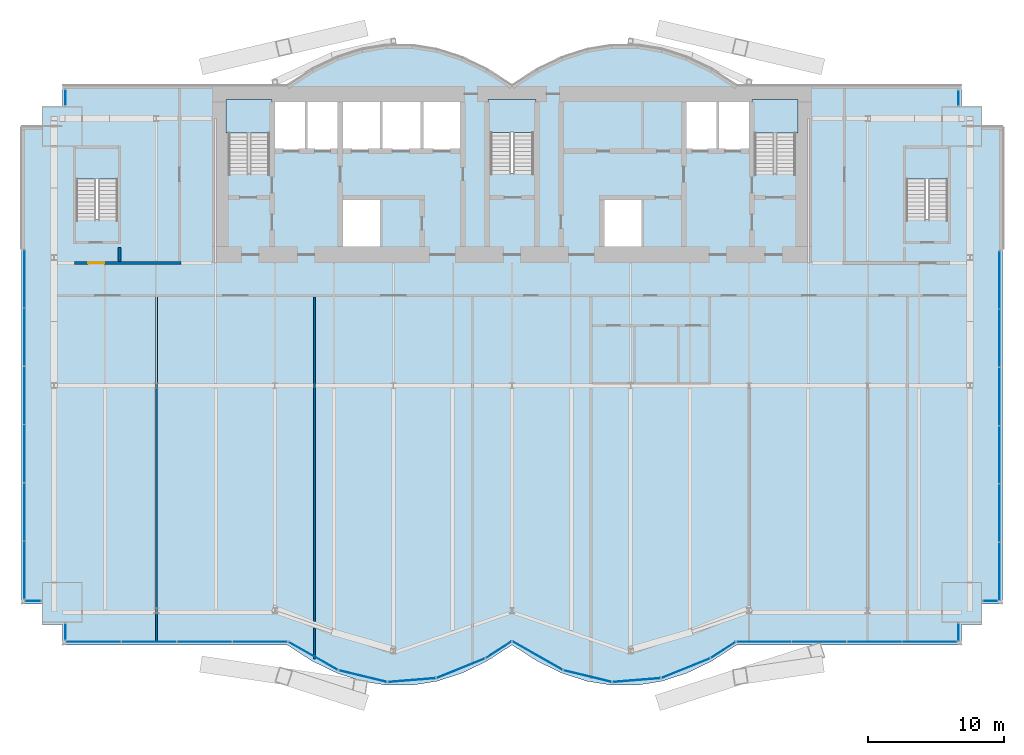
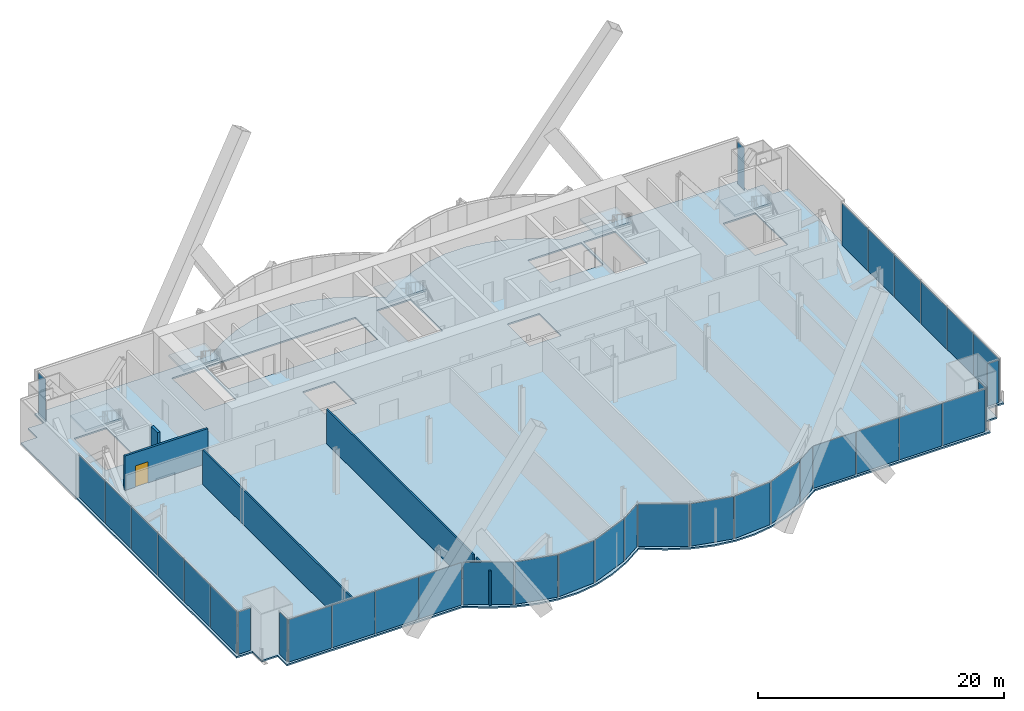
# One storey, part 16 of 23: 36 plates, 6 slabs, 5 walls, 1 door, 1 opening, 17 elements without a shape of their own.
"""IFC4 building model written with IfcOpenShell, lengths in metres."""

import ifcopenshell
import ifcopenshell.guid

model = None  # the IFC model being written
_history = None  # IfcOwnerHistory: only IFC2X3 demands one
_inside = {}  # id of a spatial element -> (the spatial element, [elements in it])
_under = {}  # id of a project, library or spatial element -> (it, [spatial elements below it])
_declared = {}  # id of a project -> (the project, [libraries it declares])
_typed = {}  # id of a type object -> (the type object, [elements of that type])
_made_of = {}  # id of a material, layer set ... -> (it, [elements and type objects made of it])


def new_model(schema):
    """Start an empty IFC model of exactly this schema.

    Asked for "IFC4X3", IfcOpenShell would pick the latest addendum, in which some entities
    have other attributes; the version numbers below select the first issue.
    IFC2X3 requires an IfcOwnerHistory on every rooted entity: one is made here for all.
    """
    global model, _history
    if schema == "IFC4X3":
        model = ifcopenshell.file(schema_version=(4, 3, 0, 0))
    else:
        model = ifcopenshell.file(schema=schema)
    _inside.clear()
    _under.clear()
    _declared.clear()
    _typed.clear()
    _made_of.clear()
    _history = None
    if model.schema == "IFC2X3":
        org = make("IfcOrganization", Name="unknown")
        user = make(
            "IfcPersonAndOrganization",
            ThePerson=make("IfcPerson", FamilyName="unknown"),
            TheOrganization=org,
        )
        app = make(
            "IfcApplication",
            ApplicationDeveloper=org,
            Version="unknown",
            ApplicationFullName="unknown",
            ApplicationIdentifier="unknown",
        )
        _history = make(
            "IfcOwnerHistory",
            OwningUser=user,
            OwningApplication=app,
            ChangeAction="ADDED",
            CreationDate=0,
        )
    return model


def make(cls, **values):
    """One entity of the class cls with the attributes given. An attribute that is None is left unset."""
    return model.create_entity(
        cls, **{name: value for name, value in values.items() if value is not None}
    )


def rooted(cls, **values):
    """An entity with a GlobalId (a new one), such as an element, a storey or a relation."""
    return make(cls, GlobalId=ifcopenshell.guid.new(), OwnerHistory=_history, **values)


def si_unit(unit_type, name, prefix=None):
    """IfcSIUnit, for example si_unit("LENGTHUNIT", "METRE", prefix="MILLI")."""
    return make("IfcSIUnit", UnitType=unit_type, Prefix=prefix, Name=name)


def assignment(units):
    """IfcUnitAssignment: the units of a project."""
    return None if units is None else make("IfcUnitAssignment", Units=units)


def point(xyz):
    """IfcCartesianPoint."""
    return None if xyz is None else make("IfcCartesianPoint", Coordinates=xyz)


def direction(xyz):
    """IfcDirection."""
    return None if xyz is None else make("IfcDirection", DirectionRatios=xyz)


def frame(location, z_axis=None, x_axis=None):
    """IfcAxis2Placement3D, a coordinate frame: its origin and axes. An axis left out is left unset."""
    return make(
        "IfcAxis2Placement3D",
        Location=point(location),
        Axis=direction(z_axis),
        RefDirection=direction(x_axis),
    )


def frame_2d(location, x_axis=None):
    """IfcAxis2Placement2D, a coordinate frame in the plane: its origin and x axis."""
    return make(
        "IfcAxis2Placement2D", Location=point(location), RefDirection=direction(x_axis)
    )


def origin():
    """The frame at (0, 0, 0) with its axes left unset."""
    return frame((0.0, 0.0, 0.0))


def origin_2d():
    """The frame at (0, 0) in the plane with its x axis left unset."""
    return frame_2d((0.0, 0.0))


def place(relative_to, where):
    """IfcLocalPlacement: puts the frame where relative to a parent placement (None: the world)."""
    return make(
        "IfcLocalPlacement", PlacementRelTo=relative_to, RelativePlacement=where
    )


def context(
    kind, dimensions, precision=None, world=None, true_north=None, identifier=None
):
    """IfcGeometricRepresentationContext, for example the 3D "Model" context."""
    return make(
        "IfcGeometricRepresentationContext",
        ContextIdentifier=identifier,
        ContextType=kind,
        CoordinateSpaceDimension=dimensions,
        Precision=precision,
        WorldCoordinateSystem=world,
        TrueNorth=true_north,
    )


def subcontext(parent, identifier, kind, view, scale=None):
    """IfcGeometricRepresentationSubContext, for example "Body" below "Model"."""
    return make(
        "IfcGeometricRepresentationSubContext",
        ContextIdentifier=identifier,
        ContextType=kind,
        ParentContext=parent,
        TargetScale=scale,
        TargetView=view,
    )


def project(units=None, contexts=None):
    """IfcProject with its units and contexts."""
    return rooted(
        "IfcProject",
        Name="project",
        RepresentationContexts=contexts,
        UnitsInContext=assignment(units),
    )


def spatial(cls, under=None, at=None, **own):
    """A site, building, storey or space (cls), placed at a placement, below another one or the project."""
    s = rooted(cls, ObjectPlacement=at, **own)
    if under is not None:
        _under.setdefault(under.id(), (under, []))[1].append(s)
    return s


def polyline(points):
    """IfcPolyline through the points."""
    return make("IfcPolyline", Points=[point(p) for p in points])


def profile(cls, at=None, kind="AREA", **sizes):
    """A parametric profile (cls). Its sizes go by their IFC names, for example OverallWidth=200.0."""
    return make(cls, ProfileType=kind, Position=at, **sizes)


def rectangle(**sizes):
    """IfcRectangleProfileDef."""
    return profile("IfcRectangleProfileDef", **sizes)


def outline(outer, holes=None, kind="AREA"):
    """IfcArbitraryClosedProfileDef: a profile drawn as a closed curve; with holes, ...WithVoids."""
    if holes is None:
        return make("IfcArbitraryClosedProfileDef", ProfileType=kind, OuterCurve=outer)
    return make(
        "IfcArbitraryProfileDefWithVoids",
        ProfileType=kind,
        OuterCurve=outer,
        InnerCurves=holes,
    )


def extrude(swept, where, along, depth):
    """IfcExtrudedAreaSolid: the profile swept, set in the frame where, extruded along a direction by depth."""
    return make(
        "IfcExtrudedAreaSolid",
        SweptArea=swept,
        Position=where,
        ExtrudedDirection=direction(along),
        Depth=depth,
    )


def shape(context_of_items, identifier, shape_type, items):
    """IfcShapeRepresentation: the items that make up one representation, for example the "Body"."""
    return make(
        "IfcShapeRepresentation",
        ContextOfItems=context_of_items,
        RepresentationIdentifier=identifier,
        RepresentationType=shape_type,
        Items=items,
    )


def material(Name=None, Category=None):
    """IfcMaterial."""
    return make("IfcMaterial", Name=Name, Category=Category)


def layer(
    of_material, thickness, ventilated=None, Name=None, Category=None, Priority=None
):
    """IfcMaterialLayer: one layer of a wall or slab, of a material (None: an air gap)."""
    return make(
        "IfcMaterialLayer",
        Material=of_material,
        LayerThickness=thickness,
        IsVentilated=ventilated,
        Name=Name,
        Category=Category,
        Priority=Priority,
    )


def layer_set(layers, Name=None):
    """IfcMaterialLayerSet."""
    return make("IfcMaterialLayerSet", MaterialLayers=layers, LayerSetName=Name)


def made_of(thing, what):
    """Note that an element or type object is made of a material, layer set ...; save() writes the relation."""
    if what is not None:
        _made_of.setdefault(what.id(), (what, []))[1].append(thing)
    return thing


def type_object(cls, material=None, **own):
    """A type object (cls), such as IfcWallType, which elements share."""
    return made_of(rooted(cls, **own), material)


def element(
    cls,
    number,
    at=None,
    inside=None,
    cuts=None,
    type_object=None,
    material=None,
    context=None,
    identifier="Body",
    shape_type=None,
    held_by="IfcProductDefinitionShape",
    body=None,
    shapes=None,
    **own,
):
    """One element of the class cls, such as IfcWall. Its Tag is "e" and its number.

    at: its placement. inside: the storey or other place that contains it. cuts: it is an
    opening in that element (IfcRelVoidsElement). A single representation is given by context,
    identifier, shape_type and body (its items); several are given by shapes. held_by: the class
    of the entity that holds the representations. save() writes the other relations.
    """
    e = rooted(cls, Tag="e%d" % number, ObjectPlacement=at, **own)
    if body is not None:
        shapes = [shape(context, identifier, shape_type, body)]
    if shapes is not None:
        e.Representation = make(held_by, Representations=shapes)
    if inside is not None:
        _inside.setdefault(inside.id(), (inside, []))[1].append(e)
    if cuts is not None:
        rooted(
            "IfcRelVoidsElement", RelatingBuildingElement=cuts, RelatedOpeningElement=e
        )
    if type_object is not None:
        _typed.setdefault(type_object.id(), (type_object, []))[1].append(e)
    return made_of(e, material)


def fill(opening, filler):
    """IfcRelFillsElement: the door or window that sits in an opening."""
    return rooted(
        "IfcRelFillsElement",
        RelatingOpeningElement=opening,
        RelatedBuildingElement=filler,
    )


def aggregate(whole, parts):
    """IfcRelAggregates: a whole, such as a stair, and the parts it consists of."""
    return rooted("IfcRelAggregates", RelatingObject=whole, RelatedObjects=parts)


def save(model, path):
    """Write the relations noted so far, then the file.

    IfcRelAggregates (storeys below a building ...), IfcRelContainedInSpatialStructure (elements
    in a storey), IfcRelDefinesByType, IfcRelAssociatesMaterial and IfcRelDeclares: one each for
    every whole, place, type object, material and project.
    """
    for whole, parts in _under.values():
        aggregate(whole, parts)
    for where, things in _inside.values():
        rooted(
            "IfcRelContainedInSpatialStructure",
            RelatedElements=things,
            RelatingStructure=where,
        )
    for kind, things in _typed.values():
        rooted("IfcRelDefinesByType", RelatedObjects=things, RelatingType=kind)
    for what, things in _made_of.values():
        rooted("IfcRelAssociatesMaterial", RelatedObjects=things, RelatingMaterial=what)
    for by, libraries in _declared.values():
        rooted("IfcRelDeclares", RelatingContext=by, RelatedDefinitions=libraries)
    model.write(path)


model = new_model("IFC4")

# Units and contexts
model_context = context("Model", 3, precision=1e-05, world=origin(), true_north=direction((0.0, 1.0)))
body_context = subcontext(model_context, "Body", "Model", "MODEL_VIEW")
ifc_project = project(units=[si_unit("LENGTHUNIT", "METRE"), si_unit("AREAUNIT", "SQUARE_METRE"), si_unit("VOLUMEUNIT", "CUBIC_METRE"), si_unit("PLANEANGLEUNIT", "RADIAN"), si_unit("MASSUNIT", "GRAM", prefix="KILO")], contexts=[model_context])

# Site, building, storey
site_placement = place(None, origin())
site = spatial("IfcSite", under=ifc_project, at=site_placement, CompositionType="ELEMENT")
building_placement = place(site_placement, origin())
building = spatial("IfcBuilding", under=site, at=building_placement, Name="Bicima Exchange Tower", CompositionType="ELEMENT")
storey_placement = place(building_placement, frame((0.0, 0.0, 53.0)))
storey = spatial("IfcBuildingStorey", under=building, at=storey_placement, Name="L10", CompositionType="ELEMENT", Elevation=53.0)

# Slab
ifc_material_1 = material(Name="Concrete C40/50", Category="concrete")
ifc_layer_1 = layer(ifc_material_1, 0.14990234375)
ifc_layer_set_1 = layer_set([ifc_layer_1], Name="Concrete C40/50")
slab_type_1 = type_object("IfcSlabType", Name="Composite floor slab 150", PredefinedType="FLOOR", material=ifc_layer_set_1)
slab_1_placement = place(storey_placement, frame((0.0, 0.0, -0.14990234375)))
element("IfcSlab", 1, at=slab_1_placement, inside=storey, type_object=slab_type_1, Name="Floor slab", PredefinedType="FLOOR", context=body_context, shape_type="SweptSolid", body=[
    extrude(outline(polyline([(-36.0, -38.02392578125), (-36.0, -3.0), (-34.5, -3.0), (-34.5, -1.5), (-33.0, -1.5), (-33.0, 0.0), (-16.5, 0.0), (-14.666748046875, 1.185302734375), (-12.833251953125, 2.07421875), (-11.0, 2.666748046875), (-9.166748046875, 2.962890625), (-7.333251953125, 2.962890625), (-5.5, 2.666748046875), (-3.666748046875, 2.07421875), (-1.833251953125, 1.185302734375), (0.0, 0.0), (1.833251953125, 1.185302734375), (3.666748046875, 2.07421875), (5.5, 2.666748046875), (7.333251953125, 2.962890625), (9.166748046875, 2.962890625), (11.0, 2.666748046875), (12.833251953125, 2.07421875), (14.666748046875, 1.185302734375), (16.5, 0.0), (33.0, 0.0), (33.0, -1.5), (34.5, -1.5), (34.5, -3.0), (36.0, -3.0), (36.0, -38.02392578125), (34.5, -38.02392578125), (34.5, -39.52392578125), (33.0, -39.52392578125), (33.0, -41.02392578125), (16.5, -41.02392578125), (14.666748046875, -42.209228515625), (12.833251953125, -43.09814453125), (11.0, -43.690673828125), (9.166748046875, -43.987060546875), (7.333251953125, -43.987060546875), (5.5, -43.690673828125), (3.666748046875, -43.09814453125), (1.833251953125, -42.209228515625), (0.0, -41.02392578125), (-1.833251953125, -42.209228515625), (-3.666748046875, -43.09814453125), (-5.5, -43.690673828125), (-7.333251953125, -43.987060546875), (-9.166748046875, -43.987060546875), (-11.0, -43.690673828125), (-12.833251953125, -43.09814453125), (-14.666748046875, -42.209228515625), (-16.5, -41.02392578125), (-33.0, -41.02392578125), (-33.0, -39.52392578125), (-34.5, -39.52392578125), (-34.5, -38.02392578125), (-36.0, -38.02392578125)]), holes=[polyline([(-9.60009765625, -11.800048828125), (-9.60009765625, -8.199951171875), (-12.60009765625, -8.199951171875), (-12.60009765625, -11.800048828125), (-9.60009765625, -11.800048828125)]), polyline([(-31.97509765625, -9.824951171875), (-28.925048828125, -9.824951171875), (-28.925048828125, -4.625), (-31.97509765625, -4.625), (-31.97509765625, -9.824951171875)]), polyline([(-20.800048828125, -6.449951171875), (-17.800048828125, -6.449951171875), (-17.800048828125, -1.199951171875), (-20.800048828125, -1.199951171875), (-20.800048828125, -6.449951171875)]), polyline([(-9.60009765625, -1.199951171875), (-12.60009765625, -1.199951171875), (-15.10009765625, -1.199951171875), (-17.60009765625, -1.199951171875), (-17.60009765625, -4.800048828125), (-15.10009765625, -4.800048828125), (-12.60009765625, -4.800048828125), (-9.60009765625, -4.800048828125), (-6.60009765625, -4.800048828125), (-3.60009765625, -4.800048828125), (-3.60009765625, -1.199951171875), (-6.60009765625, -1.199951171875), (-9.60009765625, -1.199951171875)]), polyline([(9.60009765625, -11.800048828125), (9.60009765625, -8.199951171875), (6.60009765625, -8.199951171875), (6.60009765625, -11.800048828125), (9.60009765625, -11.800048828125)]), polyline([(28.925048828125, -9.824951171875), (31.97509765625, -9.824951171875), (31.97509765625, -4.625), (28.925048828125, -4.625), (28.925048828125, -9.824951171875)]), polyline([(17.800048828125, -6.449951171875), (20.800048828125, -6.449951171875), (20.800048828125, -1.199951171875), (17.800048828125, -1.199951171875), (17.800048828125, -6.449951171875)]), polyline([(-1.574951171875, -6.39990234375), (1.574951171875, -6.39990234375), (1.574951171875, -1.199951171875), (-1.574951171875, -1.199951171875), (-1.574951171875, -6.39990234375)]), polyline([(17.60009765625, -4.800048828125), (17.60009765625, -1.199951171875), (15.10009765625, -1.199951171875), (12.60009765625, -1.199951171875), (12.60009765625, -4.800048828125), (15.10009765625, -4.800048828125), (17.60009765625, -4.800048828125)])]), origin(), (0.0, 0.0, 1.0), 0.14990234375),
])

# Curtain wall, plates
ifc_material_2 = material(Name="Anodised bronze aluminium", Category="aluminium")
curtain_wall_type_1 = type_object("IfcCurtainWallType", Name="End face glass wall", PredefinedType="NOTDEFINED", material=ifc_material_2)
curtain_wall_1_placement = place(storey_placement, origin())
curtain_wall_1 = element("IfcCurtainWall", 2, at=curtain_wall_1_placement, inside=storey, type_object=curtain_wall_type_1, Name="End face glass wall L10 run 2", PredefinedType="NOTDEFINED")
ifc_material_3 = material(Name="Bronze tinted glass", Category="glass")
ifc_layer_2 = layer(ifc_material_3, 0.031982421875)
ifc_layer_set_2 = layer_set([ifc_layer_2], Name="Bronze tinted glass")
plate_type_1 = type_object("IfcPlateType", Name="End face glass wall glass panel 32", PredefinedType="CURTAIN_PANEL", material=ifc_layer_set_2)
plate_1_placement = place(storey_placement, frame((-35.77001953125, -31.2705078125, 0.0), z_axis=(0.0, 0.0, 1.0), x_axis=(0.0, -1.0, 0.0)))
plate_1 = element("IfcPlate", 3, at=plate_1_placement, type_object=plate_type_1, Name="End face glass wall panel 5.1", PredefinedType="CURTAIN_PANEL", context=body_context, shape_type="SweptSolid", body=[
    extrude(rectangle(XDim=4.2158203125, YDim=0.031982421875, at=origin_2d()), origin(), (0.0, 0.0, 1.0), 4.2099609375),
])
plate_2_placement = place(storey_placement, frame((-35.77001953125, -35.546142578125, 0.0), z_axis=(0.0, 0.0, 1.0), x_axis=(0.0, -1.0, 0.0)))
plate_2 = element("IfcPlate", 4, at=plate_2_placement, type_object=plate_type_1, Name="End face glass wall panel 6.1", PredefinedType="CURTAIN_PANEL", context=body_context, shape_type="SweptSolid", body=[
    extrude(rectangle(XDim=4.2158203125, YDim=0.031982421875, at=origin_2d()), origin(), (0.0, 0.0, 1.0), 4.2099609375),
])

curtain_wall_2_placement = place(storey_placement, origin())
curtain_wall_2 = element("IfcCurtainWall", 5, at=curtain_wall_2_placement, inside=storey, type_object=curtain_wall_type_1, Name="End face glass wall L10 run 19", PredefinedType="NOTDEFINED")
plate_3_placement = place(storey_placement, frame((35.77001953125, -35.626220703125, 0.0), z_axis=(0.0, 0.0, 1.0), x_axis=(0.0, 1.0, 0.0)))
plate_3 = element("IfcPlate", 6, at=plate_3_placement, type_object=plate_type_1, Name="End face glass wall panel 1.1", PredefinedType="CURTAIN_PANEL", context=body_context, shape_type="SweptSolid", body=[
    extrude(rectangle(XDim=4.2158203125, YDim=0.031982421875, at=origin_2d()), origin(), (0.0, 0.0, 1.0), 4.2099609375),
])
plate_4_placement = place(storey_placement, frame((35.77001953125, -31.3505859375, 0.0), z_axis=(0.0, 0.0, 1.0), x_axis=(0.0, 1.0, 0.0)))
plate_4 = element("IfcPlate", 7, at=plate_4_placement, type_object=plate_type_1, Name="End face glass wall panel 2.1", PredefinedType="CURTAIN_PANEL", context=body_context, shape_type="SweptSolid", body=[
    extrude(rectangle(XDim=4.2158203125, YDim=0.031982421875, at=origin_2d()), origin(), (0.0, 0.0, 1.0), 4.2099609375),
])

# Plate
ifc_material_4 = material(Name="Bronze anodised aluminium", Category="aluminium")
ifc_layer_3 = layer(ifc_material_4, 0.031982421875)
ifc_layer_set_3 = layer_set([ifc_layer_3], Name="Bronze anodised aluminium")
plate_type_2 = type_object("IfcPlateType", Name="End face glass wall spandrel panel 32", PredefinedType="CURTAIN_PANEL", material=ifc_layer_set_3)
plate_5_placement = place(storey_placement, frame((-35.77001953125, -14.167724609375, 0.0), z_axis=(0.0, 0.0, 1.0), x_axis=(0.0, -1.0, 0.0)))
plate_5 = element("IfcPlate", 8, at=plate_5_placement, type_object=plate_type_2, Name="End face spandrel wall panel 1.1", PredefinedType="CURTAIN_PANEL", context=body_context, shape_type="SweptSolid", body=[
    extrude(rectangle(XDim=4.2158203125, YDim=0.031982421875, at=origin_2d()), origin(), (0.0, 0.0, 1.0), 4.2099609375),
])

plate_6_placement = place(storey_placement, frame((-35.77001953125, -18.443603515625, 0.0), z_axis=(0.0, 0.0, 1.0), x_axis=(0.0, -1.0, 0.0)))
plate_6 = element("IfcPlate", 9, at=plate_6_placement, type_object=plate_type_2, Name="End face spandrel wall panel 2.1", PredefinedType="CURTAIN_PANEL", context=body_context, shape_type="SweptSolid", body=[
    extrude(rectangle(XDim=4.2158203125, YDim=0.031982421875, at=origin_2d()), origin(), (0.0, 0.0, 1.0), 4.2099609375),
])

plate_7_placement = place(storey_placement, frame((-35.77001953125, -22.71923828125, 0.0), z_axis=(0.0, 0.0, 1.0), x_axis=(0.0, -1.0, 0.0)))
plate_7 = element("IfcPlate", 10, at=plate_7_placement, type_object=plate_type_2, Name="End face spandrel wall panel 3.1", PredefinedType="CURTAIN_PANEL", context=body_context, shape_type="SweptSolid", body=[
    extrude(rectangle(XDim=4.2158203125, YDim=0.031982421875, at=origin_2d()), origin(), (0.0, 0.0, 1.0), 4.2099609375),
])

plate_8_placement = place(storey_placement, frame((-35.77001953125, -26.994873046875, 0.0), z_axis=(0.0, 0.0, 1.0), x_axis=(0.0, -1.0, 0.0)))
plate_8 = element("IfcPlate", 11, at=plate_8_placement, type_object=plate_type_2, Name="End face spandrel wall panel 4.1", PredefinedType="CURTAIN_PANEL", context=body_context, shape_type="SweptSolid", body=[
    extrude(rectangle(XDim=4.2158203125, YDim=0.031982421875, at=origin_2d()), origin(), (0.0, 0.0, 1.0), 4.2099609375),
])

aggregate(curtain_wall_1, [plate_5, plate_6, plate_7, plate_8, plate_1, plate_2])

plate_9_placement = place(storey_placement, frame((35.77001953125, -27.07470703125, 0.0), z_axis=(0.0, 0.0, 1.0), x_axis=(0.0, 1.0, 0.0)))
plate_9 = element("IfcPlate", 12, at=plate_9_placement, type_object=plate_type_2, Name="End face spandrel wall panel 3.1", PredefinedType="CURTAIN_PANEL", context=body_context, shape_type="SweptSolid", body=[
    extrude(rectangle(XDim=4.2158203125, YDim=0.031982421875, at=origin_2d()), origin(), (0.0, 0.0, 1.0), 4.2099609375),
])

plate_10_placement = place(storey_placement, frame((35.77001953125, -22.79931640625, 0.0), z_axis=(0.0, 0.0, 1.0), x_axis=(0.0, 1.0, 0.0)))
plate_10 = element("IfcPlate", 13, at=plate_10_placement, type_object=plate_type_2, Name="End face spandrel wall panel 4.1", PredefinedType="CURTAIN_PANEL", context=body_context, shape_type="SweptSolid", body=[
    extrude(rectangle(XDim=4.2158203125, YDim=0.031982421875, at=origin_2d()), origin(), (0.0, 0.0, 1.0), 4.2099609375),
])

plate_11_placement = place(storey_placement, frame((35.77001953125, -18.5234375, 0.0), z_axis=(0.0, 0.0, 1.0), x_axis=(0.0, 1.0, 0.0)))
plate_11 = element("IfcPlate", 14, at=plate_11_placement, type_object=plate_type_2, Name="End face spandrel wall panel 5.1", PredefinedType="CURTAIN_PANEL", context=body_context, shape_type="SweptSolid", body=[
    extrude(rectangle(XDim=4.2158203125, YDim=0.031982421875, at=origin_2d()), origin(), (0.0, 0.0, 1.0), 4.2099609375),
])

plate_12_placement = place(storey_placement, frame((35.77001953125, -14.247802734375, 0.0), z_axis=(0.0, 0.0, 1.0), x_axis=(0.0, 1.0, 0.0)))
plate_12 = element("IfcPlate", 15, at=plate_12_placement, type_object=plate_type_2, Name="End face spandrel wall panel 6.1", PredefinedType="CURTAIN_PANEL", context=body_context, shape_type="SweptSolid", body=[
    extrude(rectangle(XDim=4.2158203125, YDim=0.031982421875, at=origin_2d()), origin(), (0.0, 0.0, 1.0), 4.2099609375),
])

aggregate(curtain_wall_2, [plate_3, plate_4, plate_9, plate_10, plate_11, plate_12])

# Curtain wall, plate
curtain_wall_type_2 = type_object("IfcCurtainWallType", Name="Front glass wall", PredefinedType="NOTDEFINED", material=ifc_material_2)
curtain_wall_3_placement = place(storey_placement, origin())
curtain_wall_3 = element("IfcCurtainWall", 16, at=curtain_wall_3_placement, inside=storey, type_object=curtain_wall_type_2, Name="Front glass wall L10 run 1", PredefinedType="NOTDEFINED")
ifc_layer_4 = layer(ifc_material_3, 0.031982421875)
ifc_layer_set_4 = layer_set([ifc_layer_4], Name="Bronze tinted glass")
plate_type_3 = type_object("IfcPlateType", Name="Front glass wall glass panel 32", PredefinedType="CURTAIN_PANEL", material=ifc_layer_set_4)
plate_13_placement = place(storey_placement, frame((-32.77001953125, -0.864990234375, 0.0), z_axis=(0.0, 0.0, 1.0), x_axis=(0.0, -1.0, 0.0)))
plate_13 = element("IfcPlate", 17, at=plate_13_placement, type_object=plate_type_3, Name="Front glass wall panel 1.1", PredefinedType="CURTAIN_PANEL", context=body_context, shape_type="SweptSolid", body=[
    extrude(rectangle(XDim=1.14990234375, YDim=0.031982421875, at=origin_2d()), origin(), (0.0, 0.0, 1.0), 4.2099609375),
])
aggregate(curtain_wall_3, [plate_13])

curtain_wall_4_placement = place(storey_placement, origin())
curtain_wall_4 = element("IfcCurtainWall", 18, at=curtain_wall_4_placement, inside=storey, type_object=curtain_wall_type_2, Name="Front glass wall L10 run 3", PredefinedType="NOTDEFINED")
plate_14_placement = place(storey_placement, frame((-35.135009765625, -37.7939453125, 0.0), z_axis=(0.0, 0.0, 1.0), x_axis=(1.0, 0.0, 0.0)))
plate_14 = element("IfcPlate", 19, at=plate_14_placement, type_object=plate_type_3, Name="Front glass wall panel 1.1", PredefinedType="CURTAIN_PANEL", context=body_context, shape_type="SweptSolid", body=[
    extrude(rectangle(XDim=1.14990234375, YDim=0.031982421875, at=origin_2d()), origin(), (0.0, 0.0, 1.0), 4.2099609375),
])
aggregate(curtain_wall_4, [plate_14])

curtain_wall_5_placement = place(storey_placement, origin())
curtain_wall_5 = element("IfcCurtainWall", 20, at=curtain_wall_5_placement, inside=storey, type_object=curtain_wall_type_2, Name="Front glass wall L10 run 4", PredefinedType="NOTDEFINED")
plate_15_placement = place(storey_placement, frame((-32.77001953125, -40.05810546875, 0.0), z_axis=(0.0, 0.0, 1.0), x_axis=(0.0, -1.0, 0.0)))
plate_15 = element("IfcPlate", 21, at=plate_15_placement, type_object=plate_type_3, Name="Front glass wall panel 1.1", PredefinedType="CURTAIN_PANEL", context=body_context, shape_type="SweptSolid", body=[
    extrude(rectangle(XDim=1.19189453125, YDim=0.031982421875, at=origin_2d()), origin(), (0.0, 0.0, 1.0), 4.2099609375),
])
aggregate(curtain_wall_5, [plate_15])

# Curtain wall, plates
curtain_wall_6_placement = place(storey_placement, origin())
curtain_wall_6 = element("IfcCurtainWall", 22, at=curtain_wall_6_placement, inside=storey, type_object=curtain_wall_type_2, Name="Front glass wall L10 run 5", PredefinedType="NOTDEFINED")
plate_16_placement = place(storey_placement, frame((-30.705322265625, -40.7939453125, 0.0), z_axis=(0.0, 0.0, 1.0), x_axis=(1.0, 0.0, 0.0)))
plate_16 = element("IfcPlate", 23, at=plate_16_placement, type_object=plate_type_3, Name="Front glass wall panel 1.1", PredefinedType="CURTAIN_PANEL", context=body_context, shape_type="SweptSolid", body=[
    extrude(rectangle(XDim=4.009521484375, YDim=0.031982421875, at=origin_2d()), origin(), (0.0, 0.0, 1.0), 4.2099609375),
])
plate_17_placement = place(storey_placement, frame((-26.6357421875, -40.7939453125, 0.0), z_axis=(0.0, 0.0, 1.0), x_axis=(1.0, 0.0, 0.0)))
plate_17 = element("IfcPlate", 24, at=plate_17_placement, type_object=plate_type_3, Name="Front glass wall panel 2.1", PredefinedType="CURTAIN_PANEL", context=body_context, shape_type="SweptSolid", body=[
    extrude(rectangle(XDim=4.009521484375, YDim=0.031982421875, at=origin_2d()), origin(), (0.0, 0.0, 1.0), 4.2099609375),
])

curtain_wall_7_placement = place(storey_placement, origin())
curtain_wall_7 = element("IfcCurtainWall", 25, at=curtain_wall_7_placement, inside=storey, type_object=curtain_wall_type_2, Name="Front glass wall L10 run 6", PredefinedType="NOTDEFINED")
plate_18_placement = place(storey_placement, frame((-7.35107421875, -43.61181640625, 0.0), z_axis=(0.0, 0.0, 1.0), x_axis=(0.99674744821, 0.080588612633, 0.0)))
plate_18 = element("IfcPlate", 26, at=plate_18_placement, type_object=plate_type_3, Name="Front glass wall panel 1.1", PredefinedType="CURTAIN_PANEL", context=body_context, shape_type="SweptSolid", body=[
    extrude(rectangle(XDim=3.486083984375, YDim=0.031982421875, at=origin_2d()), origin(), (0.0, 0.0, 1.0), 4.2099609375),
])
plate_19_placement = place(storey_placement, frame((-3.750244140625, -42.7373046875, 0.0), z_axis=(0.0, 0.0, 1.0), x_axis=(0.92714396679, 0.374705304, 0.0)))
plate_19 = element("IfcPlate", 27, at=plate_19_placement, type_object=plate_type_3, Name="Front glass wall panel 1.1", PredefinedType="CURTAIN_PANEL", context=body_context, shape_type="SweptSolid", body=[
    extrude(rectangle(XDim=3.771240234375, YDim=0.031982421875, at=origin_2d()), origin(), (0.0, 0.0, 1.0), 4.2099609375),
])
plate_20_placement = place(storey_placement, frame((-0.97314453125, -41.379150390625, 0.0), z_axis=(0.0, 0.0, 1.0), x_axis=(0.839798994301, 0.542897457326, 0.0)))
plate_20 = element("IfcPlate", 28, at=plate_20_placement, type_object=plate_type_3, Name="Front glass wall panel 1.1", PredefinedType="CURTAIN_PANEL", context=body_context, shape_type="SweptSolid", body=[
    extrude(rectangle(XDim=2.197509765625, YDim=0.031982421875, at=origin_2d()), origin(), (0.0, 0.0, 1.0), 4.2099609375),
])

curtain_wall_8_placement = place(storey_placement, origin())
curtain_wall_8 = element("IfcCurtainWall", 29, at=curtain_wall_8_placement, inside=storey, type_object=curtain_wall_type_2, Name="Front glass wall L10 run 11", PredefinedType="NOTDEFINED")
plate_21_placement = place(storey_placement, frame((1.876220703125, -41.817138671875, 0.0), z_axis=(0.0, 0.0, 1.0), x_axis=(0.869274147378, -0.494330311331, 0.0)))
plate_21 = element("IfcPlate", 30, at=plate_21_placement, type_object=plate_type_3, Name="Front glass wall panel 1.1", PredefinedType="CURTAIN_PANEL", context=body_context, shape_type="SweptSolid", body=[
    extrude(rectangle(XDim=4.197021484375, YDim=0.031982421875, at=origin_2d()), origin(), (0.0, 0.0, 1.0), 4.2099609375),
])
plate_22_placement = place(storey_placement, frame((5.55224609375, -43.320556640625, 0.0), z_axis=(0.0, 0.0, 1.0), x_axis=(0.971830343553, -0.235681529503, 0.0)))
plate_22 = element("IfcPlate", 31, at=plate_22_placement, type_object=plate_type_3, Name="Front glass wall panel 1.1", PredefinedType="CURTAIN_PANEL", context=body_context, shape_type="SweptSolid", body=[
    extrude(rectangle(XDim=3.583251953125, YDim=0.031982421875, at=origin_2d()), origin(), (0.0, 0.0, 1.0), 4.2099609375),
])
plate_23_placement = place(storey_placement, frame((15.492919921875, -41.401123046875, 0.0), z_axis=(0.0, 0.0, 1.0), x_axis=(0.839791413941, 0.542909183079, 0.0)))
plate_23 = element("IfcPlate", 32, at=plate_23_placement, type_object=plate_type_3, Name="Front glass wall panel 1.1", PredefinedType="CURTAIN_PANEL", context=body_context, shape_type="SweptSolid", body=[
    extrude(rectangle(XDim=2.11669921875, YDim=0.031982421875, at=origin_2d()), origin(), (0.0, 0.0, 1.0), 4.2099609375),
])

curtain_wall_9_placement = place(storey_placement, origin())
curtain_wall_9 = element("IfcCurtainWall", 33, at=curtain_wall_9_placement, inside=storey, type_object=curtain_wall_type_2, Name="Front glass wall L10 run 16", PredefinedType="NOTDEFINED")
plate_24_placement = place(storey_placement, frame((26.585693359375, -40.7939453125, 0.0), z_axis=(0.0, 0.0, 1.0), x_axis=(1.0, 0.0, 0.0)))
plate_24 = element("IfcPlate", 34, at=plate_24_placement, type_object=plate_type_3, Name="Front glass wall panel 3.1", PredefinedType="CURTAIN_PANEL", context=body_context, shape_type="SweptSolid", body=[
    extrude(rectangle(XDim=3.989501953125, YDim=0.031982421875, at=origin_2d()), origin(), (0.0, 0.0, 1.0), 4.2099609375),
])
plate_25_placement = place(storey_placement, frame((30.63525390625, -40.7939453125, 0.0), z_axis=(0.0, 0.0, 1.0), x_axis=(1.0, 0.0, 0.0)))
plate_25 = element("IfcPlate", 35, at=plate_25_placement, type_object=plate_type_3, Name="Front glass wall panel 4.1", PredefinedType="CURTAIN_PANEL", context=body_context, shape_type="SweptSolid", body=[
    extrude(rectangle(XDim=3.989501953125, YDim=0.031982421875, at=origin_2d()), origin(), (0.0, 0.0, 1.0), 4.2099609375),
])

# Curtain wall, plate
curtain_wall_10_placement = place(storey_placement, origin())
curtain_wall_10 = element("IfcCurtainWall", 36, at=curtain_wall_10_placement, inside=storey, type_object=curtain_wall_type_2, Name="Front glass wall L10 run 17", PredefinedType="NOTDEFINED")
plate_26_placement = place(storey_placement, frame((32.77001953125, -40.097900390625, 0.0), z_axis=(0.0, 0.0, 1.0), x_axis=(0.0, 1.0, 0.0)))
plate_26 = element("IfcPlate", 37, at=plate_26_placement, type_object=plate_type_3, Name="Front glass wall panel 1.1", PredefinedType="CURTAIN_PANEL", context=body_context, shape_type="SweptSolid", body=[
    extrude(rectangle(XDim=1.27197265625, YDim=0.031982421875, at=origin_2d()), origin(), (0.0, 0.0, 1.0), 4.2099609375),
])
aggregate(curtain_wall_10, [plate_26])

curtain_wall_11_placement = place(storey_placement, origin())
curtain_wall_11 = element("IfcCurtainWall", 38, at=curtain_wall_11_placement, inside=storey, type_object=curtain_wall_type_2, Name="Front glass wall L10 run 18", PredefinedType="NOTDEFINED")
plate_27_placement = place(storey_placement, frame((35.094970703125, -37.7939453125, 0.0), z_axis=(0.0, 0.0, 1.0), x_axis=(1.0, 0.0, 0.0)))
plate_27 = element("IfcPlate", 39, at=plate_27_placement, type_object=plate_type_3, Name="Front glass wall panel 1.1", PredefinedType="CURTAIN_PANEL", context=body_context, shape_type="SweptSolid", body=[
    extrude(rectangle(XDim=1.070068359375, YDim=0.031982421875, at=origin_2d()), origin(), (0.0, 0.0, 1.0), 4.2099609375),
])
aggregate(curtain_wall_11, [plate_27])

curtain_wall_12_placement = place(storey_placement, origin())
curtain_wall_12 = element("IfcCurtainWall", 40, at=curtain_wall_12_placement, inside=storey, type_object=curtain_wall_type_2, Name="Front glass wall L10 run 20", PredefinedType="NOTDEFINED")
plate_28_placement = place(storey_placement, frame((32.77001953125, -0.905029296875, 0.0), z_axis=(0.0, 0.0, 1.0), x_axis=(0.0, 1.0, 0.0)))
plate_28 = element("IfcPlate", 41, at=plate_28_placement, type_object=plate_type_3, Name="Front glass wall panel 1.1", PredefinedType="CURTAIN_PANEL", context=body_context, shape_type="SweptSolid", body=[
    extrude(rectangle(XDim=1.070068359375, YDim=0.031982421875, at=origin_2d()), origin(), (0.0, 0.0, 1.0), 4.2099609375),
])
aggregate(curtain_wall_12, [plate_28])

# Plate
ifc_layer_5 = layer(ifc_material_4, 0.031982421875)
ifc_layer_set_5 = layer_set([ifc_layer_5], Name="Bronze anodised aluminium")
plate_type_4 = type_object("IfcPlateType", Name="Front glass wall spandrel panel 32", PredefinedType="CURTAIN_PANEL", material=ifc_layer_set_5)
plate_29_placement = place(storey_placement, frame((-22.56640625, -40.7939453125, 0.0), z_axis=(0.0, 0.0, 1.0), x_axis=(1.0, 0.0, 0.0)))
plate_29 = element("IfcPlate", 42, at=plate_29_placement, type_object=plate_type_4, Name="Front spandrel wall panel 3.1", PredefinedType="CURTAIN_PANEL", context=body_context, shape_type="SweptSolid", body=[
    extrude(rectangle(XDim=4.009521484375, YDim=0.031982421875, at=origin_2d()), origin(), (0.0, 0.0, 1.0), 4.2099609375),
])

plate_30_placement = place(storey_placement, frame((-18.496826171875, -40.7939453125, 0.0), z_axis=(0.0, 0.0, 1.0), x_axis=(1.0, 0.0, 0.0)))
plate_30 = element("IfcPlate", 43, at=plate_30_placement, type_object=plate_type_4, Name="Front spandrel wall panel 4.1", PredefinedType="CURTAIN_PANEL", context=body_context, shape_type="SweptSolid", body=[
    extrude(rectangle(XDim=4.009521484375, YDim=0.031982421875, at=origin_2d()), origin(), (0.0, 0.0, 1.0), 4.2099609375),
])

aggregate(curtain_wall_6, [plate_16, plate_17, plate_29, plate_30])

plate_31_placement = place(storey_placement, frame((-14.589599609375, -41.839111328125, 0.0), z_axis=(0.0, 0.0, 1.0), x_axis=(0.869805110681, -0.493395449343, 0.0)))
plate_31 = element("IfcPlate", 44, at=plate_31_placement, type_object=plate_type_4, Name="Front spandrel wall panel 1.1", PredefinedType="CURTAIN_PANEL", context=body_context, shape_type="SweptSolid", body=[
    extrude(rectangle(XDim=4.1162109375, YDim=0.031982421875, at=origin_2d()), origin(), (0.0, 0.0, 1.0), 4.2099609375),
])

plate_32_placement = place(storey_placement, frame((-10.94775390625, -43.320556640625, 0.0), z_axis=(0.0, 0.0, 1.0), x_axis=(0.971830343553, -0.235681529503, 0.0)))
plate_32 = element("IfcPlate", 45, at=plate_32_placement, type_object=plate_type_4, Name="Front spandrel wall panel 1.1", PredefinedType="CURTAIN_PANEL", context=body_context, shape_type="SweptSolid", body=[
    extrude(rectangle(XDim=3.583251953125, YDim=0.031982421875, at=origin_2d()), origin(), (0.0, 0.0, 1.0), 4.2099609375),
])

aggregate(curtain_wall_7, [plate_31, plate_32, plate_18, plate_19, plate_20])

plate_33_placement = place(storey_placement, frame((9.14892578125, -43.61181640625, 0.0), z_axis=(0.0, 0.0, 1.0), x_axis=(0.99674744821, 0.080588612633, 0.0)))
plate_33 = element("IfcPlate", 46, at=plate_33_placement, type_object=plate_type_4, Name="Front spandrel wall panel 1.1", PredefinedType="CURTAIN_PANEL", context=body_context, shape_type="SweptSolid", body=[
    extrude(rectangle(XDim=3.486083984375, YDim=0.031982421875, at=origin_2d()), origin(), (0.0, 0.0, 1.0), 4.2099609375),
])

plate_34_placement = place(storey_placement, frame((12.749755859375, -42.7373046875, 0.0), z_axis=(0.0, 0.0, 1.0), x_axis=(0.92714396679, 0.374705304, 0.0)))
plate_34 = element("IfcPlate", 47, at=plate_34_placement, type_object=plate_type_4, Name="Front spandrel wall panel 1.1", PredefinedType="CURTAIN_PANEL", context=body_context, shape_type="SweptSolid", body=[
    extrude(rectangle(XDim=3.771240234375, YDim=0.031982421875, at=origin_2d()), origin(), (0.0, 0.0, 1.0), 4.2099609375),
])

aggregate(curtain_wall_8, [plate_21, plate_22, plate_33, plate_34, plate_23])

plate_35_placement = place(storey_placement, frame((18.48681640625, -40.7939453125, 0.0), z_axis=(0.0, 0.0, 1.0), x_axis=(1.0, 0.0, 0.0)))
plate_35 = element("IfcPlate", 48, at=plate_35_placement, type_object=plate_type_4, Name="Front spandrel wall panel 1.1", PredefinedType="CURTAIN_PANEL", context=body_context, shape_type="SweptSolid", body=[
    extrude(rectangle(XDim=3.989501953125, YDim=0.031982421875, at=origin_2d()), origin(), (0.0, 0.0, 1.0), 4.2099609375),
])

plate_36_placement = place(storey_placement, frame((22.536376953125, -40.7939453125, 0.0), z_axis=(0.0, 0.0, 1.0), x_axis=(1.0, 0.0, 0.0)))
plate_36 = element("IfcPlate", 49, at=plate_36_placement, type_object=plate_type_4, Name="Front spandrel wall panel 2.1", PredefinedType="CURTAIN_PANEL", context=body_context, shape_type="SweptSolid", body=[
    extrude(rectangle(XDim=3.989501953125, YDim=0.031982421875, at=origin_2d()), origin(), (0.0, 0.0, 1.0), 4.2099609375),
])

aggregate(curtain_wall_9, [plate_35, plate_36, plate_24, plate_25])

# Stair, slab
ifc_material_5 = material(Name="Concrete C50/60", Category="concrete")
stair_type_1 = type_object("IfcStairType", Name="Exit stair", PredefinedType="HALF_TURN_STAIR", material=ifc_material_5)
stair_1_placement = place(storey_placement, origin())
stair_1 = element("IfcStair", 50, at=stair_1_placement, inside=storey, type_object=stair_type_1, Name="L10 West exit stair", PredefinedType="HALF_TURN_STAIR")
ifc_layer_6 = layer(ifc_material_5, 0.199951171875)
ifc_layer_set_6 = layer_set([ifc_layer_6], Name="Concrete C50/60")
slab_type_2 = type_object("IfcSlabType", Name="Stair landing slab", PredefinedType="LANDING", material=ifc_layer_set_6)
slab_2_placement = place(storey_placement, frame((0.0, 0.0, 2.050048828125)))
slab_2 = element("IfcSlab", 51, at=slab_2_placement, type_object=slab_type_2, Name="ST-W landing 1", PredefinedType="LANDING", context=body_context, shape_type="SweptSolid", body=[
    extrude(outline(polyline([(-17.60009765625, -3.469970703125), (-17.60009765625, -1.0), (-21.0, -1.0), (-21.0, -3.469970703125), (-17.60009765625, -3.469970703125)])), origin(), (0.0, 0.0, 1.0), 0.199951171875),
])
aggregate(stair_1, [slab_2])

stair_type_2 = type_object("IfcStairType", Name="Exit stair 1500", PredefinedType="HALF_TURN_STAIR", material=ifc_material_5)
stair_2_placement = place(storey_placement, origin())
stair_2 = element("IfcStair", 52, at=stair_2_placement, inside=storey, type_object=stair_type_2, Name="L10 Central exit stair", PredefinedType="HALF_TURN_STAIR")
slab_3_placement = place(storey_placement, frame((0.0, 0.0, 2.050048828125)))
slab_3 = element("IfcSlab", 53, at=slab_3_placement, type_object=slab_type_2, Name="ST-C landing 1", PredefinedType="LANDING", context=body_context, shape_type="SweptSolid", body=[
    extrude(outline(polyline([(1.77490234375, -3.419921875), (1.77490234375, -1.0), (-1.77490234375, -1.0), (-1.77490234375, -3.419921875), (1.77490234375, -3.419921875)])), origin(), (0.0, 0.0, 1.0), 0.199951171875),
])
aggregate(stair_2, [slab_3])

stair_3_placement = place(storey_placement, origin())
stair_3 = element("IfcStair", 54, at=stair_3_placement, inside=storey, type_object=stair_type_1, Name="L10 East exit stair", PredefinedType="HALF_TURN_STAIR")
slab_4_placement = place(storey_placement, frame((0.0, 0.0, 2.050048828125)))
slab_4 = element("IfcSlab", 55, at=slab_4_placement, type_object=slab_type_2, Name="ST-E landing 1", PredefinedType="LANDING", context=body_context, shape_type="SweptSolid", body=[
    extrude(outline(polyline([(21.0, -3.469970703125), (21.0, -1.0), (17.60009765625, -1.0), (17.60009765625, -3.469970703125), (21.0, -3.469970703125)])), origin(), (0.0, 0.0, 1.0), 0.199951171875),
])
aggregate(stair_3, [slab_4])

stair_4_placement = place(storey_placement, origin())
stair_4 = element("IfcStair", 56, at=stair_4_placement, inside=storey, type_object=stair_type_1, Name="L10 West end exit stair", PredefinedType="HALF_TURN_STAIR")
slab_5_placement = place(storey_placement, frame((0.0, 0.0, 2.050048828125)))
slab_5 = element("IfcSlab", 57, at=slab_5_placement, type_object=slab_type_2, Name="ST-WW landing 1", PredefinedType="LANDING", context=body_context, shape_type="SweptSolid", body=[
    extrude(outline(polyline([(-28.72509765625, -6.844970703125), (-28.72509765625, -4.425048828125), (-32.175048828125, -4.425048828125), (-32.175048828125, -6.844970703125), (-28.72509765625, -6.844970703125)])), origin(), (0.0, 0.0, 1.0), 0.199951171875),
])
aggregate(stair_4, [slab_5])

stair_5_placement = place(storey_placement, origin())
stair_5 = element("IfcStair", 58, at=stair_5_placement, inside=storey, type_object=stair_type_1, Name="L10 East end exit stair", PredefinedType="HALF_TURN_STAIR")
slab_6_placement = place(storey_placement, frame((0.0, 0.0, 2.050048828125)))
slab_6 = element("IfcSlab", 59, at=slab_6_placement, type_object=slab_type_2, Name="ST-EE landing 1", PredefinedType="LANDING", context=body_context, shape_type="SweptSolid", body=[
    extrude(outline(polyline([(32.175048828125, -6.844970703125), (32.175048828125, -4.425048828125), (28.72509765625, -4.425048828125), (28.72509765625, -6.844970703125), (32.175048828125, -6.844970703125)])), origin(), (0.0, 0.0, 1.0), 0.199951171875),
])
aggregate(stair_5, [slab_6])

# Wall, opening, door
ifc_material_6 = material(Name="Gypsum board partition")
ifc_layer_7 = layer(ifc_material_6, 0.199951171875)
ifc_layer_set_7 = layer_set([ifc_layer_7], Name="Gypsum board partition")
wall_type_1 = type_object("IfcWallType", Name="Fire-rated gypsum partition 200 EI60", PredefinedType="PARTITIONING", material=ifc_layer_set_7)
wall_1_placement = place(storey_placement, frame((-32.10009765625, -13.0, 0.0), z_axis=(0.0, 0.0, 1.0), x_axis=(1.0, 0.0, 0.0)))
wall_1 = element("IfcWall", 60, at=wall_1_placement, inside=storey, type_object=wall_type_1, Name="partition wall 4", PredefinedType="PARTITIONING", context=body_context, shape_type="SweptSolid", body=[
    extrude(rectangle(XDim=7.800048828125, YDim=0.199951171875, at=frame_2d((3.89990234375, 0.0))), origin(), (0.0, 0.0, 1.0), 3.418212890625),
])
opening_placement = place(wall_1_placement, frame((1.0, 0.0, 0.0)))
opening = element("IfcOpeningElement", 61, at=opening_placement, cuts=wall_1, Name="Opening L10-001", PredefinedType="OPENING", context=body_context, shape_type="SweptSolid", body=[
    extrude(rectangle(XDim=1.199951171875, YDim=2.10009765625, at=frame_2d((0.60009765625, 1.050048828125))), frame((0.0, 0.11181640625, 0.0), z_axis=(0.0, -1.0, 0.0), x_axis=(1.0, 0.0, 0.0)), (0.0, 0.0, 1.0), 0.223876953125),
])
ifc_material_7 = material(Name="Steel fire door leaf", Category="steel")
door_type = type_object("IfcDoorType", Name="Door 1200 swing FD30S", OperationType="SINGLE_SWING_LEFT", PredefinedType="DOOR", material=ifc_material_7)
door_placement = place(opening_placement, origin())
door = element("IfcDoor", 62, at=door_placement, inside=storey, type_object=door_type, Name="Door", OperationType="SINGLE_SWING_LEFT", OverallHeight=2.10009765625, OverallWidth=1.199951171875, PredefinedType="DOOR", context=body_context, shape_type="SweptSolid", body=[
    extrude(rectangle(XDim=1.199951171875, YDim=2.10009765625, at=frame_2d((0.60009765625, 1.050048828125))), frame((0.0, 0.02490234375, 0.0), z_axis=(0.0, -1.0, 0.0), x_axis=(1.0, 0.0, 0.0)), (0.0, 0.0, 1.0), 0.050048828125),
])
fill(opening, door)

# Walls
ifc_layer_8 = layer(ifc_material_6, 0.14990234375)
ifc_layer_set_8 = layer_set([ifc_layer_8], Name="Gypsum board partition")
wall_type_2 = type_object("IfcWallType", Name="Gypsum partition 150", PredefinedType="PARTITIONING", material=ifc_layer_set_8)
wall_2_placement = place(storey_placement, frame((-26.10009765625, -40.81005859375, 0.0), z_axis=(0.0, 0.0, 1.0), x_axis=(0.0, 1.0, 0.0)))
element("IfcWall", 63, at=wall_2_placement, inside=storey, type_object=wall_type_2, Name="partition wall 14", PredefinedType="PARTITIONING", context=body_context, shape_type="SweptSolid", body=[
    extrude(rectangle(XDim=25.31005859375, YDim=0.14990234375, at=frame_2d((12.655029296875, 0.0))), origin(), (0.0, 0.0, 1.0), 3.418212890625),
])
wall_3_placement = place(storey_placement, frame((-14.5, -42.06005859375, 0.0), z_axis=(0.0, 0.0, 1.0), x_axis=(0.0, 1.0, 0.0)))
element("IfcWall", 64, at=wall_3_placement, inside=storey, type_object=wall_type_2, Name="partition wall 16", PredefinedType="PARTITIONING", context=body_context, shape_type="SweptSolid", body=[
    extrude(rectangle(XDim=2.276611328125, YDim=0.14990234375, at=frame_2d((1.13818359375, 0.0))), origin(), (0.0, 0.0, 1.0), 3.418212890625),
])
wall_4_placement = place(storey_placement, frame((-14.5, -39.2958984375, 0.0), z_axis=(0.0, 0.0, 1.0), x_axis=(0.0, 1.0, 0.0)))
element("IfcWall", 65, at=wall_4_placement, inside=storey, type_object=wall_type_2, Name="partition wall 17", PredefinedType="PARTITIONING", context=body_context, shape_type="SweptSolid", body=[
    extrude(rectangle(XDim=23.7958984375, YDim=0.14990234375, at=frame_2d((11.89794921875, 0.0))), origin(), (0.0, 0.0, 1.0), 3.418212890625),
])
ifc_layer_9 = layer(ifc_material_5, 0.25)
ifc_layer_set_9 = layer_set([ifc_layer_9], Name="Concrete C50/60")
wall_type_3 = type_object("IfcWallType", Name="RC core wall 250 C50/60", PredefinedType="SHEAR", material=ifc_layer_set_9)
wall_5_placement = place(storey_placement, frame((-28.800048828125, -12.89990234375, 0.0), z_axis=(0.0, 0.0, 1.0), x_axis=(0.0, 1.0, 0.0)))
element("IfcWall", 66, at=wall_5_placement, inside=storey, type_object=wall_type_3, Name="stair wall 13", PredefinedType="SHEAR", context=body_context, shape_type="SweptSolid", body=[
    extrude(rectangle(XDim=1.0498046875, YDim=0.25, at=frame_2d((0.52490234375, 0.0))), origin(), (0.0, 0.0, 1.0), 4.5),
])

save(model, "model.ifc")
